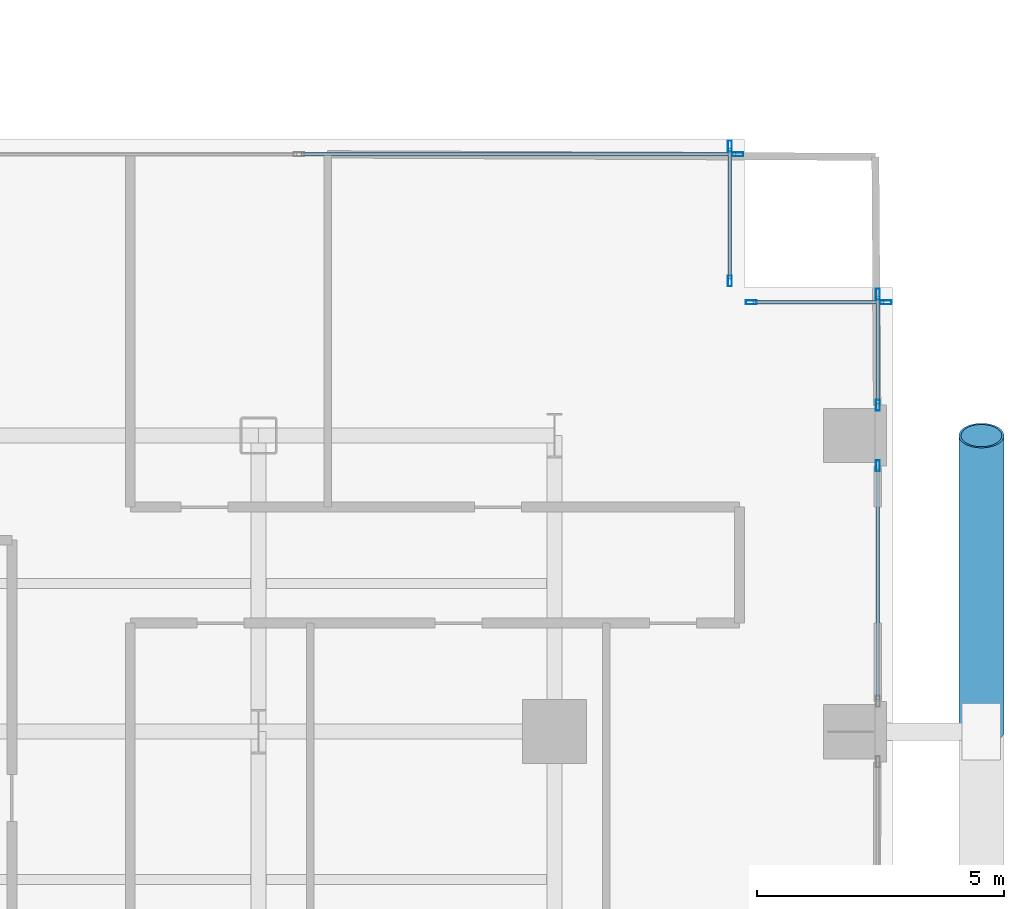
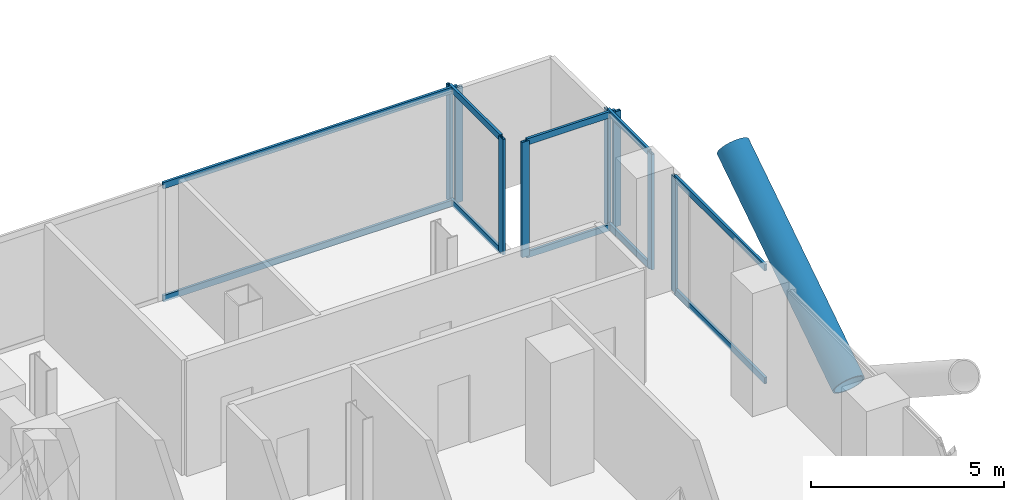
# One storey, part 12 of 27: 19 members, 5 elements without a shape of their own.
"""IFC4 building model written with IfcOpenShell, lengths in metres."""

from ifc_helpers import new_model, si_unit, direction, frame, origin, origin_2d, place, context, subcontext, project, spatial, hollow_rectangle, hollow_circle, extrude, material, layer, layer_set, material_profile, profile_set, type_object, element, aggregate, save


model = new_model("IFC4")

# Units and contexts
model_context = context("Model", 3, precision=1e-05, world=origin(), true_north=direction((0.0, 1.0)))
body_context = subcontext(model_context, "Body", "Model", "MODEL_VIEW")
ifc_project = project(units=[si_unit("LENGTHUNIT", "METRE"), si_unit("AREAUNIT", "SQUARE_METRE"), si_unit("VOLUMEUNIT", "CUBIC_METRE"), si_unit("PLANEANGLEUNIT", "RADIAN"), si_unit("MASSUNIT", "GRAM", prefix="KILO"), si_unit("THERMODYNAMICTEMPERATUREUNIT", "KELVIN"), si_unit("POWERUNIT", "WATT")], contexts=[model_context])

# Site, building, storey
site_placement = place(None, origin())
site = spatial("IfcSite", under=ifc_project, at=site_placement, CompositionType="ELEMENT")
building_placement = place(site_placement, origin())
building = spatial("IfcBuilding", under=site, at=building_placement, Name="Svarakhadi Broadcast Tower", CompositionType="ELEMENT")
storey_placement = place(building_placement, frame((0.0, 0.0, 59.699951171875)))
storey = spatial("IfcBuildingStorey", under=building, at=storey_placement, Name="L13", CompositionType="ELEMENT", Elevation=59.699951171875)

# Curtain wall, member
ifc_material_1 = material(Name="Anodised Bronze Aluminium AA 6063-T6", Category="aluminium")
ifc_layer = layer(ifc_material_1, 0.219970703125)
ifc_layer_set = layer_set([ifc_layer], Name="Anodised Bronze Aluminium AA 6063-T6")
curtain_wall_type = type_object("IfcCurtainWallType", Name="CW_Sys_02", PredefinedType="NOTDEFINED", material=ifc_layer_set)
curtain_wall_1_placement = place(storey_placement, origin())
curtain_wall_1 = element("IfcCurtainWall", 1, at=curtain_wall_1_placement, inside=storey, type_object=curtain_wall_type, Name="L13 Unitised Facade Curtain Wall 10", PredefinedType="NOTDEFINED")
ifc_material_profile_1 = material_profile(ifc_material_1, hollow_rectangle(XDim=0.0849609375, YDim=0.219970703125, WallThickness=0.006103515625, at=origin_2d()), Name="ALU MULLION 220x85x6")
ifc_profile_set_1 = profile_set([ifc_material_profile_1], Name="Anodised Bronze Aluminium AA 6063-T6")
member_type_1 = type_object("IfcMemberType", Name="CW_Sys_02_Mul", PredefinedType="MULLION", material=ifc_profile_set_1)
member_1_placement = place(storey_placement, frame((50.867431640625, 23.699951171875, 0.0), z_axis=(0.0, 0.0, 1.0), x_axis=(0.0, 1.0, 0.0)))
member_1 = element("IfcMember", 2, at=member_1_placement, type_object=member_type_1, Name="CW-02 mullion 4", PredefinedType="MULLION", context=body_context, shape_type="SweptSolid", body=[
    extrude(hollow_rectangle(XDim=0.0849609375, YDim=0.219970703125, WallThickness=0.006103515625, at=origin_2d()), origin(), (0.0, 0.0, 1.0), 3.650146484375),
])

# Curtain wall, members
curtain_wall_2_placement = place(storey_placement, origin())
curtain_wall_2 = element("IfcCurtainWall", 3, at=curtain_wall_2_placement, inside=storey, type_object=curtain_wall_type, Name="L13 Unitised Facade Curtain Wall 11", PredefinedType="NOTDEFINED")
member_2_placement = place(storey_placement, frame((50.699951171875, 23.867431640625, 0.0), z_axis=(0.0, 0.0, 1.0), x_axis=(1.0, 0.0, 0.0)))
member_2 = element("IfcMember", 4, at=member_2_placement, type_object=member_type_1, Name="CW-02 mullion 1", PredefinedType="MULLION", context=body_context, shape_type="SweptSolid", body=[
    extrude(hollow_rectangle(XDim=0.0849609375, YDim=0.219970703125, WallThickness=0.006103515625, at=origin_2d()), origin(), (0.0, 0.0, 1.0), 3.650146484375),
])
member_3_placement = place(storey_placement, frame((50.699951171875, 21.132568359375, 0.0), z_axis=(0.0, 0.0, 1.0), x_axis=(1.0, 0.0, 0.0)))
member_3 = element("IfcMember", 5, at=member_3_placement, type_object=member_type_1, Name="CW-02 mullion 2", PredefinedType="MULLION", context=body_context, shape_type="SweptSolid", body=[
    extrude(hollow_rectangle(XDim=0.0849609375, YDim=0.219970703125, WallThickness=0.006103515625, at=origin_2d()), origin(), (0.0, 0.0, 1.0), 3.650146484375),
])

curtain_wall_3_placement = place(storey_placement, origin())
curtain_wall_3 = element("IfcCurtainWall", 6, at=curtain_wall_3_placement, inside=storey, type_object=curtain_wall_type, Name="L13 Unitised Facade Curtain Wall 12", PredefinedType="NOTDEFINED")
member_4_placement = place(storey_placement, frame((51.132568359375, 20.699951171875, 0.0), z_axis=(0.0, 0.0, 1.0), x_axis=(0.0, 1.0, 0.0)))
member_4 = element("IfcMember", 7, at=member_4_placement, type_object=member_type_1, Name="CW-02 mullion 1", PredefinedType="MULLION", context=body_context, shape_type="SweptSolid", body=[
    extrude(hollow_rectangle(XDim=0.0849609375, YDim=0.219970703125, WallThickness=0.006103515625, at=origin_2d()), origin(), (0.0, 0.0, 1.0), 3.650146484375),
])
member_5_placement = place(storey_placement, frame((53.867431640625, 20.699951171875, 0.0), z_axis=(0.0, 0.0, 1.0), x_axis=(0.0, 1.0, 0.0)))
member_5 = element("IfcMember", 8, at=member_5_placement, type_object=member_type_1, Name="CW-02 mullion 2", PredefinedType="MULLION", context=body_context, shape_type="SweptSolid", body=[
    extrude(hollow_rectangle(XDim=0.0849609375, YDim=0.219970703125, WallThickness=0.006103515625, at=origin_2d()), origin(), (0.0, 0.0, 1.0), 3.650146484375),
])

curtain_wall_4_placement = place(storey_placement, origin())
curtain_wall_4 = element("IfcCurtainWall", 9, at=curtain_wall_4_placement, inside=storey, type_object=curtain_wall_type, Name="L13 Unitised Facade Curtain Wall 13 Bay 1", PredefinedType="NOTDEFINED")
member_6_placement = place(storey_placement, frame((53.699951171875, 20.867431640625, 0.0), z_axis=(0.0, 0.0, 1.0), x_axis=(1.0, 0.0, 0.0)))
member_6 = element("IfcMember", 10, at=member_6_placement, type_object=member_type_1, Name="CW-02 mullion 1", PredefinedType="MULLION", context=body_context, shape_type="SweptSolid", body=[
    extrude(hollow_rectangle(XDim=0.0849609375, YDim=0.219970703125, WallThickness=0.006103515625, at=origin_2d()), origin(), (0.0, 0.0, 1.0), 3.650146484375),
])
member_7_placement = place(storey_placement, frame((53.699951171875, 18.612548828125, 0.0), z_axis=(0.0, 0.0, 1.0), x_axis=(1.0, 0.0, 0.0)))
member_7 = element("IfcMember", 11, at=member_7_placement, type_object=member_type_1, Name="CW-02 mullion 2", PredefinedType="MULLION", context=body_context, shape_type="SweptSolid", body=[
    extrude(hollow_rectangle(XDim=0.0849609375, YDim=0.219970703125, WallThickness=0.006103515625, at=origin_2d()), origin(), (0.0, 0.0, 1.0), 3.650146484375),
])

# Curtain wall, member
curtain_wall_5_placement = place(storey_placement, origin())
curtain_wall_5 = element("IfcCurtainWall", 12, at=curtain_wall_5_placement, inside=storey, type_object=curtain_wall_type, Name="L13 Unitised Facade Curtain Wall 13 Bay 2", PredefinedType="NOTDEFINED")
member_8_placement = place(storey_placement, frame((53.699951171875, 17.387451171875, 0.0), z_axis=(0.0, 0.0, 1.0), x_axis=(1.0, 0.0, 0.0)))
member_8 = element("IfcMember", 13, at=member_8_placement, type_object=member_type_1, Name="CW-02 mullion 1", PredefinedType="MULLION", context=body_context, shape_type="SweptSolid", body=[
    extrude(hollow_rectangle(XDim=0.0849609375, YDim=0.219970703125, WallThickness=0.006103515625, at=origin_2d()), origin(), (0.0, 0.0, 1.0), 3.650146484375),
])

# Member
ifc_material_profile_2 = material_profile(ifc_material_1, hollow_rectangle(XDim=0.074951171875, YDim=0.199951171875, WallThickness=0.0048828125, at=origin_2d()), Name="ALU TRANSOM 200x75x5")
ifc_profile_set_2 = profile_set([ifc_material_profile_2], Name="Anodised Bronze Aluminium AA 6063-T6")
member_type_2 = type_object("IfcMemberType", Name="CW_Sys_02_Trn", PredefinedType="USERDEFINED", material=ifc_profile_set_2)
member_9_placement = place(storey_placement, frame((42.012451171875, 23.699951171875, 0.03759765625), z_axis=(1.0, 0.0, 0.0), x_axis=(0.0, 1.0, 0.0)))
member_9 = element("IfcMember", 14, at=member_9_placement, type_object=member_type_2, Name="CW-02 transom 3.1", ObjectType="TRANSOM", PredefinedType="USERDEFINED", context=body_context, shape_type="SweptSolid", body=[
    extrude(hollow_rectangle(XDim=0.074951171875, YDim=0.199951171875, WallThickness=0.0048828125, at=origin_2d()), origin(), (0.0, 0.0, 1.0), 8.8125),
])

member_10_placement = place(storey_placement, frame((42.012451171875, 23.699951171875, 3.612548828125), z_axis=(1.0, 0.0, 0.0), x_axis=(0.0, 1.0, 0.0)))
member_10 = element("IfcMember", 15, at=member_10_placement, type_object=member_type_2, Name="CW-02 transom 3.2", ObjectType="TRANSOM", PredefinedType="USERDEFINED", context=body_context, shape_type="SweptSolid", body=[
    extrude(hollow_rectangle(XDim=0.074951171875, YDim=0.199951171875, WallThickness=0.0048828125, at=origin_2d()), origin(), (0.0, 0.0, 1.0), 8.8125),
])

aggregate(curtain_wall_1, [member_1, member_9, member_10])

member_11_placement = place(storey_placement, frame((50.699951171875, 23.824951171875, 0.03759765625), z_axis=(0.0, -1.0, 0.0), x_axis=(1.0, 0.0, 0.0)))
member_11 = element("IfcMember", 16, at=member_11_placement, type_object=member_type_2, Name="CW-02 transom 1.1", ObjectType="TRANSOM", PredefinedType="USERDEFINED", context=body_context, shape_type="SweptSolid", body=[
    extrude(hollow_rectangle(XDim=0.074951171875, YDim=0.199951171875, WallThickness=0.0048828125, at=origin_2d()), origin(), (0.0, 0.0, 1.0), 2.64990234375),
])

member_12_placement = place(storey_placement, frame((50.699951171875, 23.824951171875, 3.612548828125), z_axis=(0.0, -1.0, 0.0), x_axis=(1.0, 0.0, 0.0)))
member_12 = element("IfcMember", 17, at=member_12_placement, type_object=member_type_2, Name="CW-02 transom 1.2", ObjectType="TRANSOM", PredefinedType="USERDEFINED", context=body_context, shape_type="SweptSolid", body=[
    extrude(hollow_rectangle(XDim=0.074951171875, YDim=0.199951171875, WallThickness=0.0048828125, at=origin_2d()), origin(), (0.0, 0.0, 1.0), 2.64990234375),
])

aggregate(curtain_wall_2, [member_2, member_3, member_11, member_12])

member_13_placement = place(storey_placement, frame((51.175048828125, 20.699951171875, 0.03759765625), z_axis=(1.0, 0.0, 0.0), x_axis=(0.0, 1.0, 0.0)))
member_13 = element("IfcMember", 18, at=member_13_placement, type_object=member_type_2, Name="CW-02 transom 1.1", ObjectType="TRANSOM", PredefinedType="USERDEFINED", context=body_context, shape_type="SweptSolid", body=[
    extrude(hollow_rectangle(XDim=0.074951171875, YDim=0.199951171875, WallThickness=0.0048828125, at=origin_2d()), origin(), (0.0, 0.0, 1.0), 2.64990234375),
])

member_14_placement = place(storey_placement, frame((51.175048828125, 20.699951171875, 3.612548828125), z_axis=(1.0, 0.0, 0.0), x_axis=(0.0, 1.0, 0.0)))
member_14 = element("IfcMember", 19, at=member_14_placement, type_object=member_type_2, Name="CW-02 transom 1.2", ObjectType="TRANSOM", PredefinedType="USERDEFINED", context=body_context, shape_type="SweptSolid", body=[
    extrude(hollow_rectangle(XDim=0.074951171875, YDim=0.199951171875, WallThickness=0.0048828125, at=origin_2d()), origin(), (0.0, 0.0, 1.0), 2.64990234375),
])

aggregate(curtain_wall_3, [member_4, member_5, member_13, member_14])

member_15_placement = place(storey_placement, frame((53.699951171875, 20.824951171875, 0.03759765625), z_axis=(0.0, -1.0, 0.0), x_axis=(1.0, 0.0, 0.0)))
member_15 = element("IfcMember", 20, at=member_15_placement, type_object=member_type_2, Name="CW-02 transom 1.1", ObjectType="TRANSOM", PredefinedType="USERDEFINED", context=body_context, shape_type="SweptSolid", body=[
    extrude(hollow_rectangle(XDim=0.074951171875, YDim=0.199951171875, WallThickness=0.0048828125, at=origin_2d()), origin(), (0.0, 0.0, 1.0), 2.169921875),
])

member_16_placement = place(storey_placement, frame((53.699951171875, 20.824951171875, 3.612548828125), z_axis=(0.0, -1.0, 0.0), x_axis=(1.0, 0.0, 0.0)))
member_16 = element("IfcMember", 21, at=member_16_placement, type_object=member_type_2, Name="CW-02 transom 1.2", ObjectType="TRANSOM", PredefinedType="USERDEFINED", context=body_context, shape_type="SweptSolid", body=[
    extrude(hollow_rectangle(XDim=0.074951171875, YDim=0.199951171875, WallThickness=0.0048828125, at=origin_2d()), origin(), (0.0, 0.0, 1.0), 2.169921875),
])

aggregate(curtain_wall_4, [member_6, member_7, member_15, member_16])

member_17_placement = place(storey_placement, frame((53.699951171875, 17.344970703125, 0.03759765625), z_axis=(0.0, -1.0, 0.0), x_axis=(1.0, 0.0, 0.0)))
member_17 = element("IfcMember", 22, at=member_17_placement, type_object=member_type_2, Name="CW-02 transom 1.1", ObjectType="TRANSOM", PredefinedType="USERDEFINED", context=body_context, shape_type="SweptSolid", body=[
    extrude(hollow_rectangle(XDim=0.074951171875, YDim=0.199951171875, WallThickness=0.0048828125, at=origin_2d()), origin(), (0.0, 0.0, 1.0), 4.68994140625),
])

member_18_placement = place(storey_placement, frame((53.699951171875, 17.344970703125, 3.612548828125), z_axis=(0.0, -1.0, 0.0), x_axis=(1.0, 0.0, 0.0)))
member_18 = element("IfcMember", 23, at=member_18_placement, type_object=member_type_2, Name="CW-02 transom 1.2", ObjectType="TRANSOM", PredefinedType="USERDEFINED", context=body_context, shape_type="SweptSolid", body=[
    extrude(hollow_rectangle(XDim=0.074951171875, YDim=0.199951171875, WallThickness=0.0048828125, at=origin_2d()), origin(), (0.0, 0.0, 1.0), 4.68994140625),
])

aggregate(curtain_wall_5, [member_8, member_17, member_18])

ifc_material_2 = material(Name="Steel S460ML (IS 2062 E450BR)", Category="steel")
ifc_material_profile_3 = material_profile(ifc_material_2, hollow_circle(Radius=0.45703125, WallThickness=0.044921875, at=origin_2d()), Name="CHS 914x45")
ifc_profile_set_3 = profile_set([ifc_material_profile_3], Name="Steel S460ML (IS 2062 E450BR)")
member_type_3 = type_object("IfcMemberType", Name="Exo_Brace_CHS914", PredefinedType="BRACE", material=ifc_profile_set_3)
member_19_placement = place(storey_placement, frame((55.800048828125, 12.0, -0.427734375), z_axis=(0.0, 0.838449851971, 0.544978757136), x_axis=(-1.0, 0.0, 0.0)))
element("IfcMember", 24, at=member_19_placement, inside=storey, type_object=member_type_3, Name="L13 Exposed Bronze Exoskeleton Diagonal E11", PredefinedType="BRACE", context=body_context, shape_type="SweptSolid", body=[
    extrude(hollow_circle(Radius=0.45703125, WallThickness=0.044921875, at=origin_2d()), origin(), (0.0, 0.0, 1.0), 7.156005859375),
])

save(model, "model.ifc")
